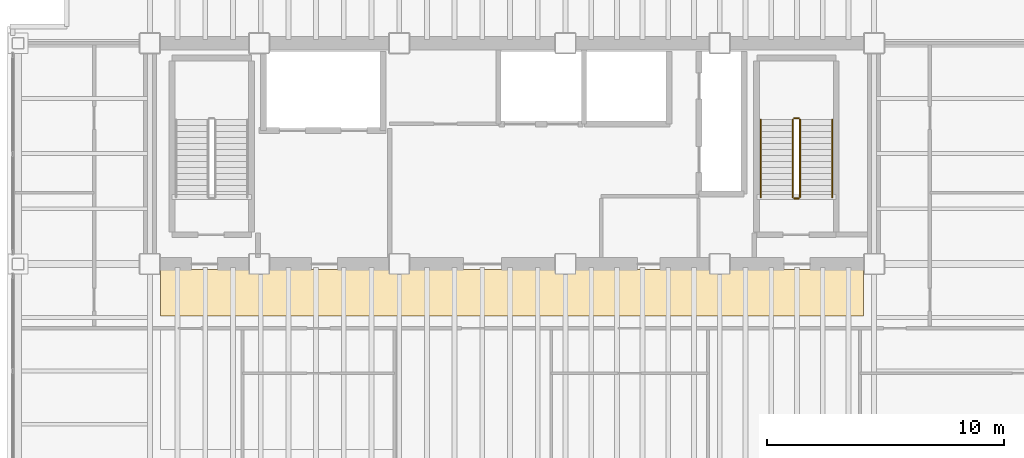
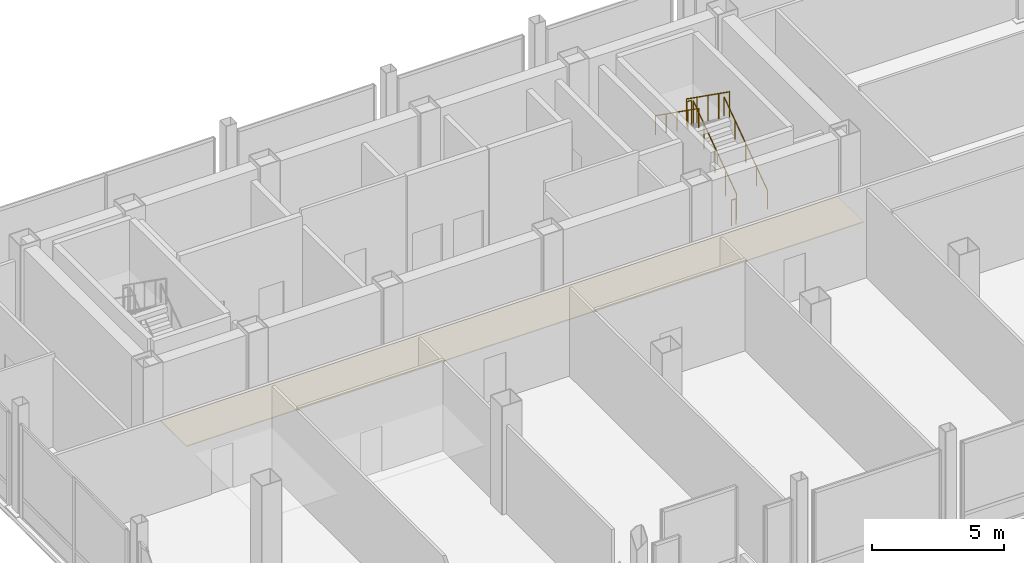
# One storey, part 22 of 22: 6 railings, 1 covering.
"""IFC4 building model written with IfcOpenShell, lengths in metres."""

from ifc_helpers import new_model, si_unit, direction, frame, origin, origin_2d, place, context, subcontext, project, spatial, polyline, circle, outline, extrude, material, layer, layer_set, type_object, element, save


model = new_model("IFC4")

# Units and contexts
model_context = context("Model", 3, precision=1e-05, world=origin(), true_north=direction((0.0, 1.0)))
body_context = subcontext(model_context, "Body", "Model", "MODEL_VIEW")
ifc_project = project(units=[si_unit("LENGTHUNIT", "METRE"), si_unit("AREAUNIT", "SQUARE_METRE"), si_unit("VOLUMEUNIT", "CUBIC_METRE"), si_unit("PLANEANGLEUNIT", "RADIAN"), si_unit("MASSUNIT", "GRAM", prefix="KILO")], contexts=[model_context])

# Site, building, storey
site_placement = place(None, origin())
site = spatial("IfcSite", under=ifc_project, at=site_placement, CompositionType="ELEMENT")
building_placement = place(site_placement, origin())
building = spatial("IfcBuilding", under=site, at=building_placement, Name="Noeulbin Bourse Tower", CompositionType="ELEMENT")
storey_placement = place(building_placement, frame((0.0, 0.0, 106.0)))
storey = spatial("IfcBuildingStorey", under=building, at=storey_placement, Name="L26", CompositionType="ELEMENT", Elevation=106.0)

# Covering
ifc_material_1 = material(Name="Perforated Mineral-Fibre Acoustic Tile")
ifc_layer_1 = layer(ifc_material_1, 0.0400390625)
ifc_layer_set_1 = layer_set([ifc_layer_1], Name="Perforated Mineral-Fibre Acoustic Tile")
covering_type = type_object("IfcCoveringType", Name="COV-CEIL-ACT", PredefinedType="CEILING", material=ifc_layer_set_1)
covering_placement = place(storey_placement, frame((0.0, 0.0, 2.110107421875)))
element("IfcCovering", 1, at=covering_placement, inside=storey, type_object=covering_type, Name="Corridor Suspended Ceiling L26", PredefinedType="CEILING", context=body_context, shape_type="SweptSolid", body=[
    extrude(outline(polyline([(13.949951171875, 26.820068359375), (43.550048828125, 26.820068359375), (43.550048828125, 28.780029296875), (13.949951171875, 28.780029296875), (13.949951171875, 26.820068359375)])), origin(), (0.0, 0.0, 1.0), 0.039794921875),
])

# Railings
ifc_material_2 = material(Name="Painted Tubular Steel S355", Category="steel")
ifc_layer_2 = layer(ifc_material_2, 0.048095703125)
ifc_layer_set_2 = layer_set([ifc_layer_2], Name="Painted Tubular Steel S355")
railing_type_1 = type_object("IfcRailingType", Name="RLG-STR-GRD", PredefinedType="GUARDRAIL", material=ifc_layer_set_2)
railing_1_placement = place(storey_placement, frame((40.8798828125, 31.81005859375, 0.178466796875)))
element("IfcRailing", 2, at=railing_1_placement, inside=storey, type_object=railing_type_1, Name="L26 ST-2 stair guard 1", PredefinedType="GUARDRAIL", context=body_context, shape_type="SweptSolid", body=[
    extrude(circle(Radius=0.02392578125, at=origin_2d()), frame((0.0, 0.0, 1.17578125), z_axis=(0.0, 0.815893006872, 0.578202906718), x_axis=(-1.0, 0.0, 0.0)), (0.0, 0.0, 1.0), 4.01513671875),
    extrude(circle(Radius=0.02099609375, at=origin_2d()), origin(), (0.0, 0.0, 1.0), 1.15185546875),
    extrude(circle(Radius=0.02099609375, at=origin_2d()), frame((0.0, 0.81884765625, 0.580322265625)), (0.0, 0.0, 1.0), 1.15185546875),
    extrude(circle(Radius=0.02099609375, at=origin_2d()), frame((0.0, 1.637939453125, 1.16064453125)), (0.0, 0.0, 1.0), 1.15185546875),
    extrude(circle(Radius=0.02099609375, at=origin_2d()), frame((0.0, 2.45703125, 1.7412109375)), (0.0, 0.0, 1.0), 1.15185546875),
    extrude(circle(Radius=0.02099609375, at=origin_2d()), frame((0.0, 3.27587890625, 2.321533203125)), (0.0, 0.0, 1.0), 1.15185546875),
])
railing_2_placement = place(storey_placement, frame((40.830078125, 35.135986328125, 2.5)))
element("IfcRailing", 3, at=railing_2_placement, inside=storey, type_object=railing_type_1, Name="L26 ST-2 stair guard 2", PredefinedType="GUARDRAIL", context=body_context, shape_type="SweptSolid", body=[
    extrude(circle(Radius=0.02392578125, at=origin_2d()), frame((0.0, 0.0, 1.17578125), z_axis=(-1.0, 0.0, 0.0), x_axis=(0.0, -1.0, 0.0)), (0.0, 0.0, 1.0), 0.2001953125),
    extrude(circle(Radius=0.02099609375, at=origin_2d()), origin(), (0.0, 0.0, 1.0), 1.15185546875),
    extrude(circle(Radius=0.02099609375, at=origin_2d()), frame((-0.2001953125, 0.0, 0.0)), (0.0, 0.0, 1.0), 1.15185546875),
])
railing_3_placement = place(storey_placement, frame((40.580078125, 35.0859375, 2.678466796875)))
element("IfcRailing", 4, at=railing_3_placement, inside=storey, type_object=railing_type_1, Name="L26 ST-2 stair guard 3", PredefinedType="GUARDRAIL", context=body_context, shape_type="SweptSolid", body=[
    extrude(circle(Radius=0.02392578125, at=origin_2d()), frame((0.0, 0.0, 1.17578125), z_axis=(0.0, -0.815893006872, 0.578202906718), x_axis=(1.0, 0.0, 0.0)), (0.0, 0.0, 1.0), 4.01513671875),
    extrude(circle(Radius=0.02099609375, at=origin_2d()), origin(), (0.0, 0.0, 1.0), 1.15185546875),
    extrude(circle(Radius=0.02099609375, at=origin_2d()), frame((0.0, -0.81884765625, 0.580322265625)), (0.0, 0.0, 1.0), 1.15185546875),
    extrude(circle(Radius=0.02099609375, at=origin_2d()), frame((0.0, -1.637939453125, 1.16064453125)), (0.0, 0.0, 1.0), 1.15185546875),
    extrude(circle(Radius=0.02099609375, at=origin_2d()), frame((0.0, -2.45703125, 1.7412109375)), (0.0, 0.0, 1.0), 1.15185546875),
    extrude(circle(Radius=0.02099609375, at=origin_2d()), frame((0.0, -3.27587890625, 2.321533203125)), (0.0, 0.0, 1.0), 1.15185546875),
])
railing_4_placement = place(storey_placement, frame((40.830078125, 31.760009765625, 0.0)))
element("IfcRailing", 5, at=railing_4_placement, inside=storey, type_object=railing_type_1, Name="L26 ST-2 stair guard 4", PredefinedType="GUARDRAIL", context=body_context, shape_type="SweptSolid", body=[
    extrude(circle(Radius=0.02392578125, at=origin_2d()), frame((0.0, 0.0, 1.17578125), z_axis=(-1.0, 0.0, 0.0), x_axis=(0.0, -1.0, 0.0)), (0.0, 0.0, 1.0), 0.2001953125),
    extrude(circle(Radius=0.02099609375, at=origin_2d()), origin(), (0.0, 0.0, 1.0), 1.15185546875),
    extrude(circle(Radius=0.02099609375, at=origin_2d()), frame((-0.2001953125, 0.0, 0.0)), (0.0, 0.0, 1.0), 1.15185546875),
])
ifc_material_3 = material(Name="Brushed Stainless Steel 316", Category="steel")
ifc_layer_3 = layer(ifc_material_3, 0.048095703125)
ifc_layer_set_3 = layer_set([ifc_layer_3], Name="Brushed Stainless Steel 316")
railing_type_2 = type_object("IfcRailingType", Name="RLG-STR-HND", PredefinedType="HANDRAIL", material=ifc_layer_set_3)
railing_5_placement = place(storey_placement, frame((42.22998046875, 31.81005859375, 0.178466796875)))
element("IfcRailing", 6, at=railing_5_placement, inside=storey, type_object=railing_type_2, Name="L26 ST-2 stair handrail 1", PredefinedType="HANDRAIL", context=body_context, shape_type="SweptSolid", body=[
    extrude(circle(Radius=0.02392578125, at=origin_2d()), frame((0.0, 0.0, 0.8759765625), z_axis=(0.0, 0.815893006872, 0.578202906718), x_axis=(-1.0, 0.0, 0.0)), (0.0, 0.0, 1.0), 4.01513671875),
    extrude(circle(Radius=0.02099609375, at=origin_2d()), origin(), (0.0, 0.0, 1.0), 0.851806640625),
    extrude(circle(Radius=0.02099609375, at=origin_2d()), frame((0.0, 0.81884765625, 0.580322265625)), (0.0, 0.0, 1.0), 0.851806640625),
    extrude(circle(Radius=0.02099609375, at=origin_2d()), frame((0.0, 1.637939453125, 1.16064453125)), (0.0, 0.0, 1.0), 0.851806640625),
    extrude(circle(Radius=0.02099609375, at=origin_2d()), frame((0.0, 2.45703125, 1.7412109375)), (0.0, 0.0, 1.0), 0.851806640625),
    extrude(circle(Radius=0.02099609375, at=origin_2d()), frame((0.0, 3.27587890625, 2.321533203125)), (0.0, 0.0, 1.0), 0.851806640625),
])
railing_6_placement = place(storey_placement, frame((39.22998046875, 35.0859375, 2.678466796875)))
element("IfcRailing", 7, at=railing_6_placement, inside=storey, type_object=railing_type_2, Name="L26 ST-2 stair handrail 2", PredefinedType="HANDRAIL", context=body_context, shape_type="SweptSolid", body=[
    extrude(circle(Radius=0.02392578125, at=origin_2d()), frame((0.0, 0.0, 0.8759765625), z_axis=(0.0, -0.815893006872, 0.578202906718), x_axis=(1.0, 0.0, 0.0)), (0.0, 0.0, 1.0), 4.01513671875),
    extrude(circle(Radius=0.02099609375, at=origin_2d()), origin(), (0.0, 0.0, 1.0), 0.851806640625),
    extrude(circle(Radius=0.02099609375, at=origin_2d()), frame((0.0, -0.81884765625, 0.580322265625)), (0.0, 0.0, 1.0), 0.851806640625),
    extrude(circle(Radius=0.02099609375, at=origin_2d()), frame((0.0, -1.637939453125, 1.16064453125)), (0.0, 0.0, 1.0), 0.851806640625),
    extrude(circle(Radius=0.02099609375, at=origin_2d()), frame((0.0, -2.45703125, 1.7412109375)), (0.0, 0.0, 1.0), 0.851806640625),
    extrude(circle(Radius=0.02099609375, at=origin_2d()), frame((0.0, -3.27587890625, 2.321533203125)), (0.0, 0.0, 1.0), 0.851806640625),
])

save(model, "model.ifc")
